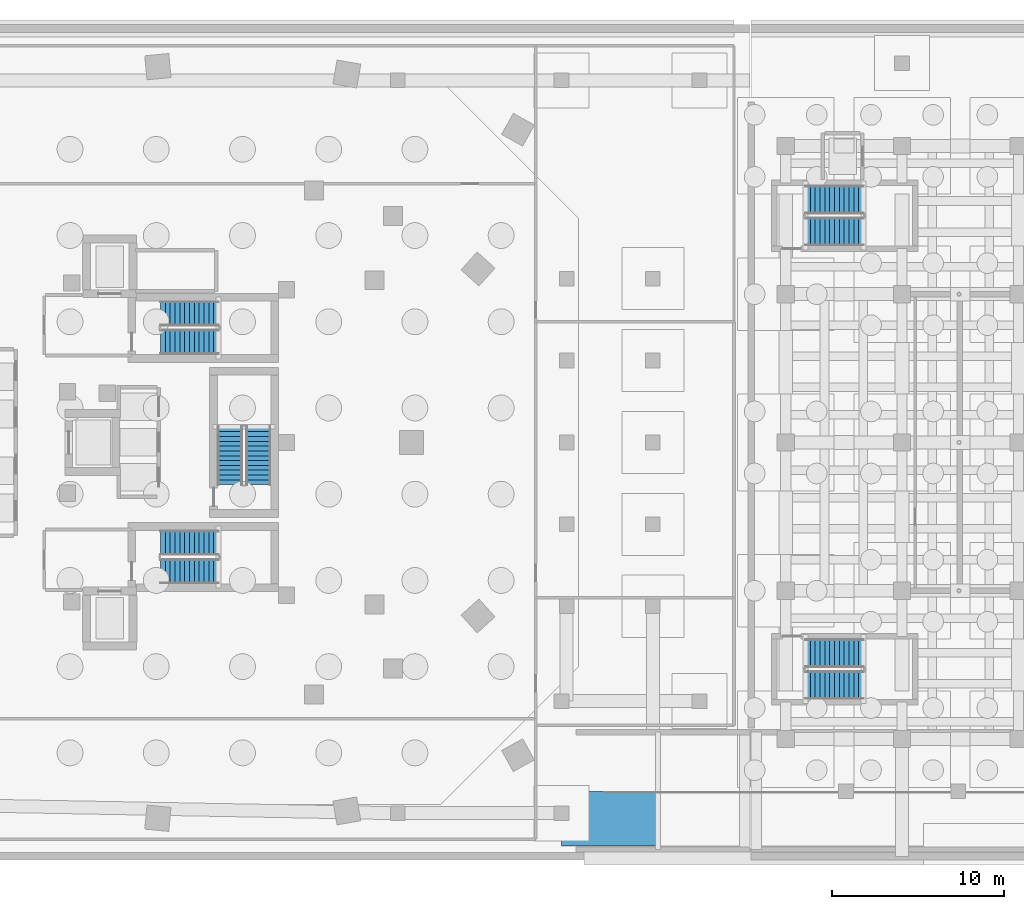
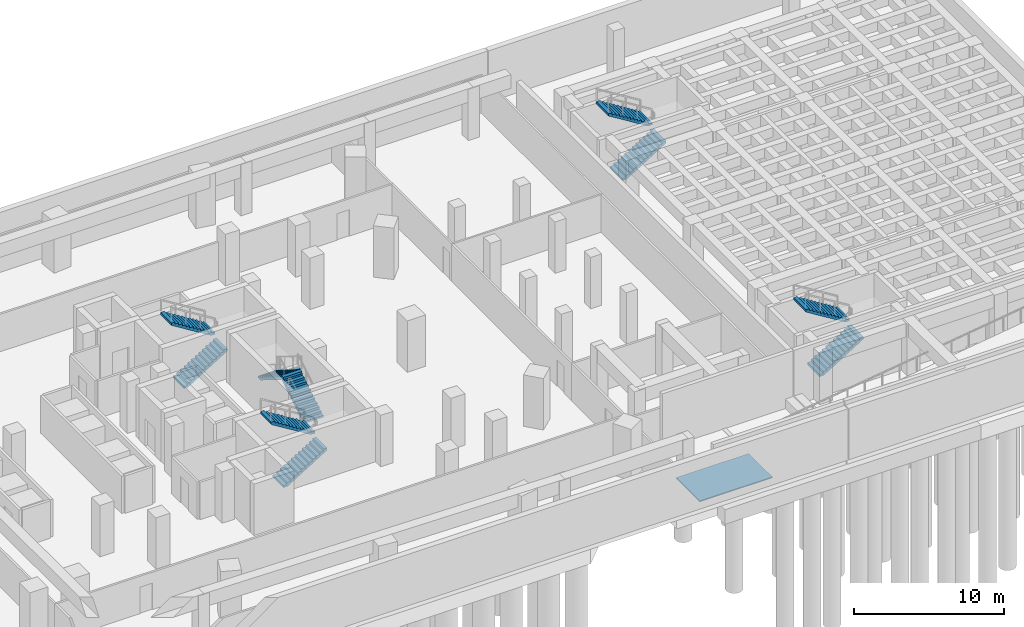
# One storey, part 11 of 15: 10 stair flights, 1 ramp, 5 elements without a shape of their own.
"""IFC4 building model written with IfcOpenShell, lengths in metres."""

from ifc_helpers import new_model, si_unit, direction, frame, origin, place, context, subcontext, project, spatial, polyline, outline, extrude, material, type_object, element, aggregate, save


model = new_model("IFC4")

# Units and contexts
model_context = context("Model", 3, precision=1e-05, world=origin(), true_north=direction((0.0, 1.0)))
body_context = subcontext(model_context, "Body", "Model", "MODEL_VIEW")
ifc_project = project(units=[si_unit("LENGTHUNIT", "METRE"), si_unit("AREAUNIT", "SQUARE_METRE"), si_unit("VOLUMEUNIT", "CUBIC_METRE"), si_unit("PLANEANGLEUNIT", "RADIAN"), si_unit("MASSUNIT", "GRAM", prefix="KILO")], contexts=[model_context])

# Site, building, storey
site_placement = place(None, origin())
site = spatial("IfcSite", under=ifc_project, at=site_placement, CompositionType="ELEMENT")
building_placement = place(site_placement, origin())
building = spatial("IfcBuilding", under=site, at=building_placement, Name="Korentha Bioscience Tower", CompositionType="ELEMENT")
storey_placement = place(building_placement, frame((0.0, 0.0, -9.0)))
storey = spatial("IfcBuildingStorey", under=building, at=storey_placement, Name="B2", CompositionType="ELEMENT", Elevation=-9.0)

# Stair, stair flights
ifc_material_1 = material(Name="Precast Concrete C50", Category="concrete")
stair_type_1 = type_object("IfcStairType", Name="Core Exit Dog-Leg Stair 1450", PredefinedType="HALF_TURN_STAIR", material=ifc_material_1)
stair_1_placement = place(storey_placement, origin())
stair_1 = element("IfcStair", 1, at=stair_1_placement, inside=storey, type_object=stair_type_1, Name="B2 Tower North Pressurized Exit Stair ST-1", PredefinedType="HALF_TURN_STAIR")
stair_flight_type_1 = type_object("IfcStairFlightType", Name="Core Exit Dog-Leg Stair 1450 Flight", PredefinedType="STRAIGHT", material=ifc_material_1)
stair_flight_1_placement = place(storey_placement, frame((30.25, 32.824951171875, 0.0), z_axis=(0.0, 0.0, 1.0), x_axis=(1.0, 0.0, 0.0)))
stair_flight_1 = element("IfcStairFlight", 2, at=stair_flight_1_placement, type_object=stair_flight_type_1, Name="ST-1 flight 1", NumberOfRisers=13, NumberOfTreads=12, PredefinedType="STRAIGHT", RiserHeight=0.173076923, TreadLength=0.28, context=body_context, shape_type="SweptSolid", body=[
    extrude(outline(polyline([(0.0, 0.0), (0.0, 0.173095703125), (0.280029296875, 0.173095703125), (0.280029296875, 0.34619140625), (0.56005859375, 0.34619140625), (0.56005859375, 0.519287109375), (0.840087890625, 0.519287109375), (0.840087890625, 0.6923828125), (1.1201171875, 0.6923828125), (1.1201171875, 0.865478515625), (1.39990234375, 0.865478515625), (1.39990234375, 1.03857421875), (1.679931640625, 1.03857421875), (1.679931640625, 1.21142578125), (1.9599609375, 1.21142578125), (1.9599609375, 1.384521484375), (2.239990234375, 1.384521484375), (2.239990234375, 1.5576171875), (2.52001953125, 1.5576171875), (2.52001953125, 1.730712890625), (2.800048828125, 1.730712890625), (2.800048828125, 1.90380859375), (3.080078125, 1.90380859375), (3.080078125, 2.076904296875), (3.360107421875, 2.076904296875), (3.360107421875, 2.25), (3.360107421875, 1.888916015625), (0.30419921875, 0.0), (0.0, 0.0)])), frame((0.0, 0.72509765625, 0.0), z_axis=(0.0, -1.0, 0.0), x_axis=(1.0, 0.0, 0.0)), (0.0, 0.0, 1.0), 1.449951171875),
])
stair_flight_2_placement = place(storey_placement, frame((33.610107421875, 34.47509765625, 2.25), z_axis=(0.0, 0.0, 1.0), x_axis=(-1.0, 0.0, 0.0)))
stair_flight_2 = element("IfcStairFlight", 3, at=stair_flight_2_placement, type_object=stair_flight_type_1, Name="ST-1 flight 2", NumberOfRisers=13, NumberOfTreads=12, PredefinedType="STRAIGHT", RiserHeight=0.173076923, TreadLength=0.28, context=body_context, shape_type="SweptSolid", body=[
    extrude(outline(polyline([(0.0, 0.0), (0.0, 0.173095703125), (0.280029296875, 0.173095703125), (0.280029296875, 0.34619140625), (0.56005859375, 0.34619140625), (0.56005859375, 0.519287109375), (0.840087890625, 0.519287109375), (0.840087890625, 0.6923828125), (1.1201171875, 0.6923828125), (1.1201171875, 0.865478515625), (1.39990234375, 0.865478515625), (1.39990234375, 1.03857421875), (1.679931640625, 1.03857421875), (1.679931640625, 1.21142578125), (1.9599609375, 1.21142578125), (1.9599609375, 1.384521484375), (2.239990234375, 1.384521484375), (2.239990234375, 1.5576171875), (2.52001953125, 1.5576171875), (2.52001953125, 1.730712890625), (2.800048828125, 1.730712890625), (2.800048828125, 1.90380859375), (3.080078125, 1.90380859375), (3.080078125, 2.076904296875), (3.360107421875, 2.076904296875), (3.360107421875, 2.25), (3.360107421875, 1.888916015625), (0.30419921875, 0.0), (0.0, 0.0)])), frame((0.0, 0.72509765625, 0.0), z_axis=(0.0, -1.0, 0.0), x_axis=(1.0, 0.0, 0.0)), (0.0, 0.0, 1.0), 1.449951171875),
])
aggregate(stair_1, [stair_flight_1, stair_flight_2])

stair_2_placement = place(storey_placement, origin())
stair_2 = element("IfcStair", 4, at=stair_2_placement, inside=storey, type_object=stair_type_1, Name="B2 Tower South Pressurized Exit Stair ST-2", PredefinedType="HALF_TURN_STAIR")
stair_flight_3_placement = place(storey_placement, frame((30.25, 19.52490234375, 0.0), z_axis=(0.0, 0.0, 1.0), x_axis=(1.0, 0.0, 0.0)))
stair_flight_3 = element("IfcStairFlight", 5, at=stair_flight_3_placement, type_object=stair_flight_type_1, Name="ST-2 flight 1", NumberOfRisers=13, NumberOfTreads=12, PredefinedType="STRAIGHT", RiserHeight=0.173076923, TreadLength=0.28, context=body_context, shape_type="SweptSolid", body=[
    extrude(outline(polyline([(0.0, 0.0), (0.0, 0.173095703125), (0.280029296875, 0.173095703125), (0.280029296875, 0.34619140625), (0.56005859375, 0.34619140625), (0.56005859375, 0.519287109375), (0.840087890625, 0.519287109375), (0.840087890625, 0.6923828125), (1.1201171875, 0.6923828125), (1.1201171875, 0.865478515625), (1.39990234375, 0.865478515625), (1.39990234375, 1.03857421875), (1.679931640625, 1.03857421875), (1.679931640625, 1.21142578125), (1.9599609375, 1.21142578125), (1.9599609375, 1.384521484375), (2.239990234375, 1.384521484375), (2.239990234375, 1.5576171875), (2.52001953125, 1.5576171875), (2.52001953125, 1.730712890625), (2.800048828125, 1.730712890625), (2.800048828125, 1.90380859375), (3.080078125, 1.90380859375), (3.080078125, 2.076904296875), (3.360107421875, 2.076904296875), (3.360107421875, 2.25), (3.360107421875, 1.888916015625), (0.30419921875, 0.0), (0.0, 0.0)])), frame((0.0, 0.72509765625, 0.0), z_axis=(0.0, -1.0, 0.0), x_axis=(1.0, 0.0, 0.0)), (0.0, 0.0, 1.0), 1.449951171875),
])
stair_flight_4_placement = place(storey_placement, frame((33.610107421875, 21.175048828125, 2.25), z_axis=(0.0, 0.0, 1.0), x_axis=(-1.0, 0.0, 0.0)))
stair_flight_4 = element("IfcStairFlight", 6, at=stair_flight_4_placement, type_object=stair_flight_type_1, Name="ST-2 flight 2", NumberOfRisers=13, NumberOfTreads=12, PredefinedType="STRAIGHT", RiserHeight=0.173076923, TreadLength=0.28, context=body_context, shape_type="SweptSolid", body=[
    extrude(outline(polyline([(0.0, 0.0), (0.0, 0.173095703125), (0.280029296875, 0.173095703125), (0.280029296875, 0.34619140625), (0.56005859375, 0.34619140625), (0.56005859375, 0.519287109375), (0.840087890625, 0.519287109375), (0.840087890625, 0.6923828125), (1.1201171875, 0.6923828125), (1.1201171875, 0.865478515625), (1.39990234375, 0.865478515625), (1.39990234375, 1.03857421875), (1.679931640625, 1.03857421875), (1.679931640625, 1.21142578125), (1.9599609375, 1.21142578125), (1.9599609375, 1.384521484375), (2.239990234375, 1.384521484375), (2.239990234375, 1.5576171875), (2.52001953125, 1.5576171875), (2.52001953125, 1.730712890625), (2.800048828125, 1.730712890625), (2.800048828125, 1.90380859375), (3.080078125, 1.90380859375), (3.080078125, 2.076904296875), (3.360107421875, 2.076904296875), (3.360107421875, 2.25), (3.360107421875, 1.888916015625), (0.30419921875, 0.0), (0.0, 0.0)])), frame((0.0, 0.72509765625, 0.0), z_axis=(0.0, -1.0, 0.0), x_axis=(1.0, 0.0, 0.0)), (0.0, 0.0, 1.0), 1.449951171875),
])
aggregate(stair_2, [stair_flight_3, stair_flight_4])

stair_3_placement = place(storey_placement, origin())
stair_3 = element("IfcStair", 7, at=stair_3_placement, inside=storey, type_object=stair_type_1, Name="B2 Tower Central Pressurized Exit Stair ST-3", PredefinedType="HALF_TURN_STAIR")
stair_flight_5_placement = place(storey_placement, frame((35.925048828125, 24.550048828125, 0.0), z_axis=(0.0, 0.0, 1.0), x_axis=(0.0, 1.0, 0.0)))
stair_flight_5 = element("IfcStairFlight", 8, at=stair_flight_5_placement, type_object=stair_flight_type_1, Name="ST-3 flight 1", NumberOfRisers=13, NumberOfTreads=12, PredefinedType="STRAIGHT", RiserHeight=0.173076923, TreadLength=0.28, context=body_context, shape_type="SweptSolid", body=[
    extrude(outline(polyline([(0.0, 0.0), (0.0, 0.173095703125), (0.280029296875, 0.173095703125), (0.280029296875, 0.34619140625), (0.56005859375, 0.34619140625), (0.56005859375, 0.519287109375), (0.840087890625, 0.519287109375), (0.840087890625, 0.6923828125), (1.1201171875, 0.6923828125), (1.1201171875, 0.865478515625), (1.39990234375, 0.865478515625), (1.39990234375, 1.03857421875), (1.679931640625, 1.03857421875), (1.679931640625, 1.21142578125), (1.9599609375, 1.21142578125), (1.9599609375, 1.384521484375), (2.239990234375, 1.384521484375), (2.239990234375, 1.5576171875), (2.52001953125, 1.5576171875), (2.52001953125, 1.730712890625), (2.800048828125, 1.730712890625), (2.800048828125, 1.90380859375), (3.080078125, 1.90380859375), (3.080078125, 2.076904296875), (3.360107421875, 2.076904296875), (3.360107421875, 2.25), (3.360107421875, 1.888916015625), (0.30419921875, 0.0), (0.0, 0.0)])), frame((0.0, 0.72509765625, 0.0), z_axis=(0.0, -1.0, 0.0), x_axis=(1.0, 0.0, 0.0)), (0.0, 0.0, 1.0), 1.449951171875),
])
stair_flight_6_placement = place(storey_placement, frame((34.27490234375, 27.909912109375, 2.25), z_axis=(0.0, 0.0, 1.0), x_axis=(0.0, -1.0, 0.0)))
stair_flight_6 = element("IfcStairFlight", 9, at=stair_flight_6_placement, type_object=stair_flight_type_1, Name="ST-3 flight 2", NumberOfRisers=13, NumberOfTreads=12, PredefinedType="STRAIGHT", RiserHeight=0.173076923, TreadLength=0.28, context=body_context, shape_type="SweptSolid", body=[
    extrude(outline(polyline([(0.0, 0.0), (0.0, 0.173095703125), (0.280029296875, 0.173095703125), (0.280029296875, 0.34619140625), (0.56005859375, 0.34619140625), (0.56005859375, 0.519287109375), (0.840087890625, 0.519287109375), (0.840087890625, 0.6923828125), (1.1201171875, 0.6923828125), (1.1201171875, 0.865478515625), (1.39990234375, 0.865478515625), (1.39990234375, 1.03857421875), (1.679931640625, 1.03857421875), (1.679931640625, 1.21142578125), (1.9599609375, 1.21142578125), (1.9599609375, 1.384521484375), (2.239990234375, 1.384521484375), (2.239990234375, 1.5576171875), (2.52001953125, 1.5576171875), (2.52001953125, 1.730712890625), (2.800048828125, 1.730712890625), (2.800048828125, 1.90380859375), (3.080078125, 1.90380859375), (3.080078125, 2.076904296875), (3.360107421875, 2.076904296875), (3.360107421875, 2.25), (3.360107421875, 1.888916015625), (0.30419921875, 0.0), (0.0, 0.0)])), frame((0.0, 0.72509765625, 0.0), z_axis=(0.0, -1.0, 0.0), x_axis=(1.0, 0.0, 0.0)), (0.0, 0.0, 1.0), 1.449951171875),
])
aggregate(stair_3, [stair_flight_5, stair_flight_6])

stair_type_2 = type_object("IfcStairType", Name="Theatre Public Dog-Leg Stair 1650", PredefinedType="HALF_TURN_STAIR", material=ifc_material_1)
stair_4_placement = place(storey_placement, origin())
stair_4 = element("IfcStair", 10, at=stair_4_placement, inside=storey, type_object=stair_type_2, Name="B2 Civic Theatre South Exit Stair ST-T1", PredefinedType="HALF_TURN_STAIR")
stair_flight_type_2 = type_object("IfcStairFlightType", Name="Theatre Public Dog-Leg Stair 1650 Flight", PredefinedType="STRAIGHT", material=ifc_material_1)
stair_flight_7_placement = place(storey_placement, frame((67.64990234375, 12.925048828125, 0.0), z_axis=(0.0, 0.0, 1.0), x_axis=(1.0, 0.0, 0.0)))
stair_flight_7 = element("IfcStairFlight", 11, at=stair_flight_7_placement, type_object=stair_flight_type_2, Name="ST-T1 flight 1", NumberOfRisers=13, NumberOfTreads=12, PredefinedType="STRAIGHT", RiserHeight=0.173076923, TreadLength=0.28, context=body_context, shape_type="SweptSolid", body=[
    extrude(outline(polyline([(0.0, 0.0), (0.0, 0.173095703125), (0.280029296875, 0.173095703125), (0.280029296875, 0.34619140625), (0.56005859375, 0.34619140625), (0.56005859375, 0.519287109375), (0.840087890625, 0.519287109375), (0.840087890625, 0.6923828125), (1.1201171875, 0.6923828125), (1.1201171875, 0.865478515625), (1.39990234375, 0.865478515625), (1.39990234375, 1.03857421875), (1.679931640625, 1.03857421875), (1.679931640625, 1.21142578125), (1.9599609375, 1.21142578125), (1.9599609375, 1.384521484375), (2.239990234375, 1.384521484375), (2.239990234375, 1.5576171875), (2.52001953125, 1.5576171875), (2.52001953125, 1.730712890625), (2.800048828125, 1.730712890625), (2.800048828125, 1.90380859375), (3.080078125, 1.90380859375), (3.080078125, 2.076904296875), (3.360107421875, 2.076904296875), (3.360107421875, 2.25), (3.360107421875, 1.888916015625), (0.30419921875, 0.0), (0.0, 0.0)])), frame((0.0, 0.824951171875, 0.0), z_axis=(0.0, -1.0, 0.0), x_axis=(1.0, 0.0, 0.0)), (0.0, 0.0, 1.0), 1.64990234375),
])
stair_flight_8_placement = place(storey_placement, frame((71.010009765625, 14.77490234375, 2.25), z_axis=(0.0, 0.0, 1.0), x_axis=(-1.0, 0.0, 0.0)))
stair_flight_8 = element("IfcStairFlight", 12, at=stair_flight_8_placement, type_object=stair_flight_type_2, Name="ST-T1 flight 2", NumberOfRisers=13, NumberOfTreads=12, PredefinedType="STRAIGHT", RiserHeight=0.173076923, TreadLength=0.28, context=body_context, shape_type="SweptSolid", body=[
    extrude(outline(polyline([(0.0, 0.0), (0.0, 0.173095703125), (0.280029296875, 0.173095703125), (0.280029296875, 0.34619140625), (0.56005859375, 0.34619140625), (0.56005859375, 0.519287109375), (0.840087890625, 0.519287109375), (0.840087890625, 0.6923828125), (1.1201171875, 0.6923828125), (1.1201171875, 0.865478515625), (1.39990234375, 0.865478515625), (1.39990234375, 1.03857421875), (1.679931640625, 1.03857421875), (1.679931640625, 1.21142578125), (1.9599609375, 1.21142578125), (1.9599609375, 1.384521484375), (2.239990234375, 1.384521484375), (2.239990234375, 1.5576171875), (2.52001953125, 1.5576171875), (2.52001953125, 1.730712890625), (2.800048828125, 1.730712890625), (2.800048828125, 1.90380859375), (3.080078125, 1.90380859375), (3.080078125, 2.076904296875), (3.360107421875, 2.076904296875), (3.360107421875, 2.25), (3.360107421875, 1.888916015625), (0.30419921875, 0.0), (0.0, 0.0)])), frame((0.0, 0.824951171875, 0.0), z_axis=(0.0, -1.0, 0.0), x_axis=(1.0, 0.0, 0.0)), (0.0, 0.0, 1.0), 1.64990234375),
])
aggregate(stair_4, [stair_flight_7, stair_flight_8])

stair_5_placement = place(storey_placement, origin())
stair_5 = element("IfcStair", 13, at=stair_5_placement, inside=storey, type_object=stair_type_2, Name="B2 Civic Theatre North Exit Stair ST-T2", PredefinedType="HALF_TURN_STAIR")
stair_flight_9_placement = place(storey_placement, frame((67.64990234375, 39.22509765625, 0.0), z_axis=(0.0, 0.0, 1.0), x_axis=(1.0, 0.0, 0.0)))
stair_flight_9 = element("IfcStairFlight", 14, at=stair_flight_9_placement, type_object=stair_flight_type_2, Name="ST-T2 flight 1", NumberOfRisers=13, NumberOfTreads=12, PredefinedType="STRAIGHT", RiserHeight=0.173076923, TreadLength=0.28, context=body_context, shape_type="SweptSolid", body=[
    extrude(outline(polyline([(0.0, 0.0), (0.0, 0.173095703125), (0.280029296875, 0.173095703125), (0.280029296875, 0.34619140625), (0.56005859375, 0.34619140625), (0.56005859375, 0.519287109375), (0.840087890625, 0.519287109375), (0.840087890625, 0.6923828125), (1.1201171875, 0.6923828125), (1.1201171875, 0.865478515625), (1.39990234375, 0.865478515625), (1.39990234375, 1.03857421875), (1.679931640625, 1.03857421875), (1.679931640625, 1.21142578125), (1.9599609375, 1.21142578125), (1.9599609375, 1.384521484375), (2.239990234375, 1.384521484375), (2.239990234375, 1.5576171875), (2.52001953125, 1.5576171875), (2.52001953125, 1.730712890625), (2.800048828125, 1.730712890625), (2.800048828125, 1.90380859375), (3.080078125, 1.90380859375), (3.080078125, 2.076904296875), (3.360107421875, 2.076904296875), (3.360107421875, 2.25), (3.360107421875, 1.888916015625), (0.30419921875, 0.0), (0.0, 0.0)])), frame((0.0, 0.824951171875, 0.0), z_axis=(0.0, -1.0, 0.0), x_axis=(1.0, 0.0, 0.0)), (0.0, 0.0, 1.0), 1.64990234375),
])
stair_flight_10_placement = place(storey_placement, frame((71.010009765625, 41.074951171875, 2.25), z_axis=(0.0, 0.0, 1.0), x_axis=(-1.0, 0.0, 0.0)))
stair_flight_10 = element("IfcStairFlight", 15, at=stair_flight_10_placement, type_object=stair_flight_type_2, Name="ST-T2 flight 2", NumberOfRisers=13, NumberOfTreads=12, PredefinedType="STRAIGHT", RiserHeight=0.173076923, TreadLength=0.28, context=body_context, shape_type="SweptSolid", body=[
    extrude(outline(polyline([(0.0, 0.0), (0.0, 0.173095703125), (0.280029296875, 0.173095703125), (0.280029296875, 0.34619140625), (0.56005859375, 0.34619140625), (0.56005859375, 0.519287109375), (0.840087890625, 0.519287109375), (0.840087890625, 0.6923828125), (1.1201171875, 0.6923828125), (1.1201171875, 0.865478515625), (1.39990234375, 0.865478515625), (1.39990234375, 1.03857421875), (1.679931640625, 1.03857421875), (1.679931640625, 1.21142578125), (1.9599609375, 1.21142578125), (1.9599609375, 1.384521484375), (2.239990234375, 1.384521484375), (2.239990234375, 1.5576171875), (2.52001953125, 1.5576171875), (2.52001953125, 1.730712890625), (2.800048828125, 1.730712890625), (2.800048828125, 1.90380859375), (3.080078125, 1.90380859375), (3.080078125, 2.076904296875), (3.360107421875, 2.076904296875), (3.360107421875, 2.25), (3.360107421875, 1.888916015625), (0.30419921875, 0.0), (0.0, 0.0)])), frame((0.0, 0.824951171875, 0.0), z_axis=(0.0, -1.0, 0.0), x_axis=(1.0, 0.0, 0.0)), (0.0, 0.0, 1.0), 1.64990234375),
])
aggregate(stair_5, [stair_flight_9, stair_flight_10])

# Ramp
ifc_material_2 = material(Name="Concrete C50", Category="concrete")
ramp_type = type_object("IfcRampType", Name="Two-Way Basement Vehicle Ramp R1", PredefinedType="STRAIGHT_RUN_RAMP", material=ifc_material_2)
ramp_placement = place(storey_placement, frame((0.0, 0.0, -0.080078125)))
element("IfcRamp", 16, at=ramp_placement, inside=storey, type_object=ramp_type, Name="Car Park Vehicle Ramp R1 Lower", PredefinedType="STRAIGHT_RUN_RAMP", context=body_context, shape_type="SweptSolid", body=[
    extrude(outline(polyline([(53.5, 3.60009765625), (59.10009765625, 3.60009765625), (59.10009765625, 6.75), (53.5, 6.75), (53.5, 3.60009765625)])), origin(), (0.0, 0.0, 1.0), 0.080078125),
])

save(model, "model.ifc")
